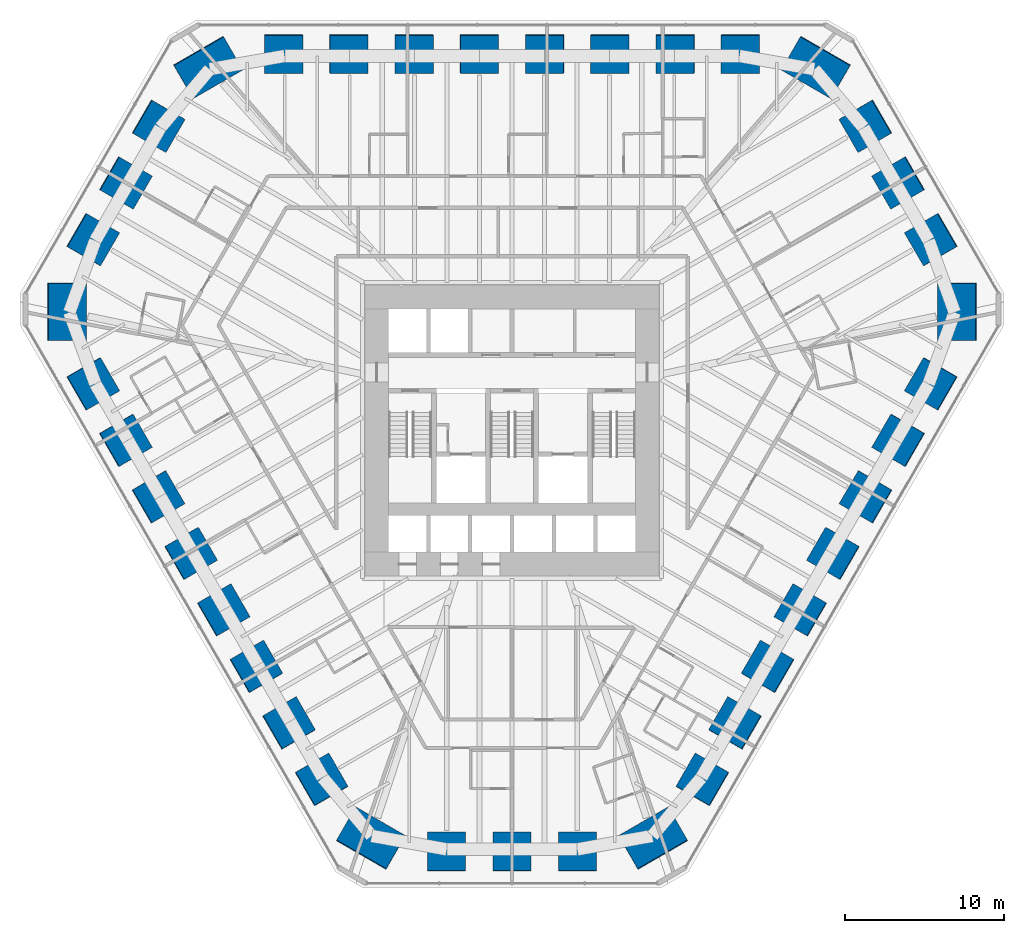
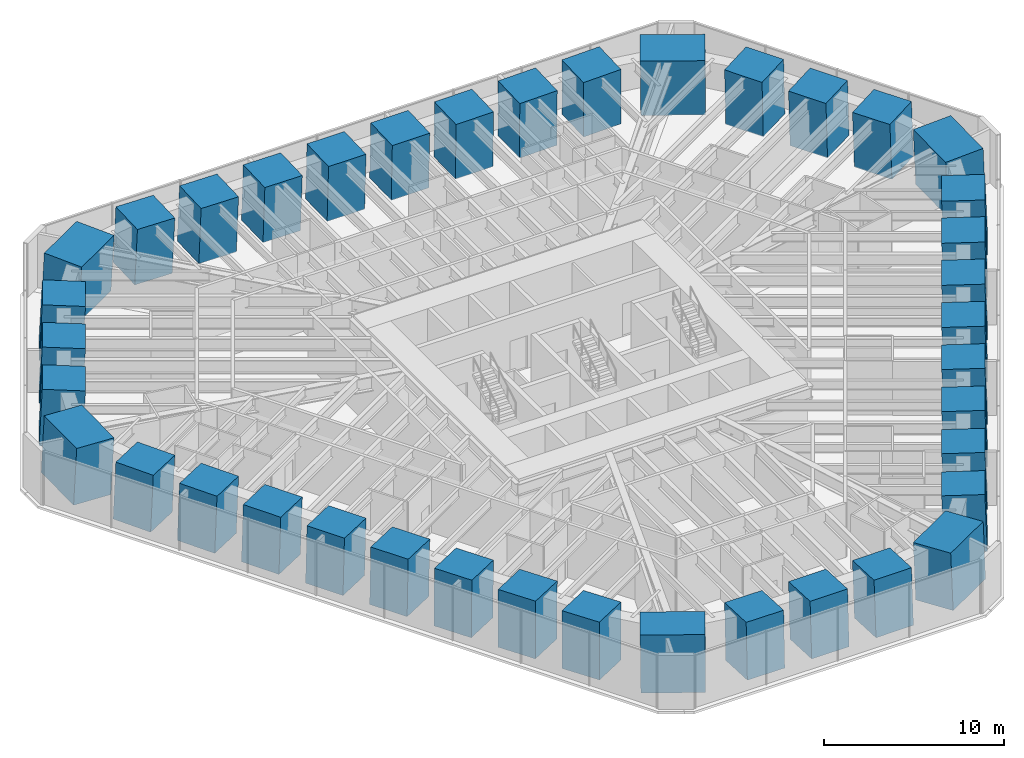
# One storey, part 1 of 17: 39 columns.
"""IFC4 building model written with IfcOpenShell, lengths in metres."""

from ifc_helpers import new_model, si_unit, direction, frame, origin, origin_2d, place, context, subcontext, project, spatial, rectangle, extrude, material, material_profile, profile_set, type_object, element, save


model = new_model("IFC4")

# Units and contexts
model_context = context("Model", 3, precision=1e-05, world=origin(), true_north=direction((0.0, 1.0)))
body_context = subcontext(model_context, "Body", "Model", "MODEL_VIEW")
ifc_project = project(units=[si_unit("LENGTHUNIT", "METRE"), si_unit("AREAUNIT", "SQUARE_METRE"), si_unit("VOLUMEUNIT", "CUBIC_METRE"), si_unit("PLANEANGLEUNIT", "RADIAN"), si_unit("MASSUNIT", "GRAM", prefix="KILO")], contexts=[model_context])

# Site, building, storey
site_placement = place(None, origin())
site = spatial("IfcSite", under=ifc_project, at=site_placement, CompositionType="ELEMENT")
building_placement = place(site_placement, origin())
building = spatial("IfcBuilding", under=site, at=building_placement, Name="Sandreach Pilgrim Tower", CompositionType="ELEMENT")
storey_placement = place(building_placement, frame((0.0, 0.0, 72.39990234375)))
storey = spatial("IfcBuildingStorey", under=building, at=storey_placement, Name="L17", CompositionType="ELEMENT", Elevation=72.39990234375)

# Columns
ifc_material_1 = material(Name="Concrete 10000 psi", Category="concrete")
ifc_material_profile_1 = material_profile(ifc_material_1, rectangle(XDim=2.39990234375, YDim=2.39990234375, at=origin_2d()), Name="RC2400X2400")
ifc_profile_set_1 = profile_set([ifc_material_profile_1], Name="Concrete 10000 psi")
column_type_1 = type_object("IfcColumnType", Name="Raked tube column RC2400X2400", PredefinedType="COLUMN", material=ifc_profile_set_1)
column_1_placement = place(storey_placement, frame((-14.370361328125, 22.127685546875, 0.0), z_axis=(0.02387684412, -0.036713857088, 0.999040534219), x_axis=(0.000229526905, 0.999325609369, 0.036718847706)))
element("IfcColumn", 1, at=column_1_placement, inside=storey, type_object=column_type_1, Name="COL L17 T01", PredefinedType="COLUMN", context=body_context, shape_type="SweptSolid", body=[
    extrude(rectangle(XDim=2.39990234375, YDim=2.39990234375, at=origin_2d()), origin(), (0.0, 0.0, 1.0), 3.8037109375),
])
column_2_placement = place(storey_placement, frame((-10.2646484375, 22.1279296875, 0.0), z_axis=(0.017011430722, -0.036719012729, 0.999180827142), x_axis=(0.001112013962, 0.99932551115, 0.036705397281)))
element("IfcColumn", 2, at=column_2_placement, inside=storey, type_object=column_type_1, Name="COL L17 T02", PredefinedType="COLUMN", context=body_context, shape_type="SweptSolid", body=[
    extrude(rectangle(XDim=2.39990234375, YDim=2.39990234375, at=origin_2d()), origin(), (0.0, 0.0, 1.0), 3.80322265625),
])
for number, where, z_axis, x_axis, name in (
    (3, (-6.158935546875, 22.128173828125, 0.0), (0.010207803765, -0.036722413544, 0.999273368546), (0.000704593406, 0.99932545045, 0.036717129927), "COL L17 T03"),
    (4, (-2.052978515625, 22.12841796875, 0.0), (0.003402758843, -0.036724114306, 0.999319648892), (0.000242365854, 0.999325435323, 0.036723501678), "COL L17 T04"),
    (5, (2.052978515625, 22.12841796875, 0.0), (-0.003402758843, -0.036724114306, 0.999319648892), (-0.000242365854, 0.999325435323, 0.036723501678), "COL L17 T05"),
    (6, (6.158935546875, 22.128173828125, 0.0), (-0.010207803765, -0.036722413544, 0.999273368546), (-0.000704593406, 0.99932545045, 0.036717129927), "COL L17 T06"),
):
    element("IfcColumn", number, at=place(storey_placement, frame(where, z_axis=z_axis, x_axis=x_axis)), inside=storey, type_object=column_type_1, Name=name, PredefinedType="COLUMN", context=body_context, shape_type="SweptSolid", body=[
        extrude(rectangle(XDim=2.39990234375, YDim=2.39990234375, at=origin_2d()), origin(), (0.0, 0.0, 1.0), 3.802734375),
    ])
column_3_placement = place(storey_placement, frame((10.2646484375, 22.1279296875, 0.0), z_axis=(-0.017011430722, -0.036719012729, 0.999180827142), x_axis=(-0.001112013962, 0.99932551115, 0.036705397281)))
element("IfcColumn", 7, at=column_3_placement, inside=storey, type_object=column_type_1, Name="COL L17 T07", PredefinedType="COLUMN", context=body_context, shape_type="SweptSolid", body=[
    extrude(rectangle(XDim=2.39990234375, YDim=2.39990234375, at=origin_2d()), origin(), (0.0, 0.0, 1.0), 3.80322265625),
])
column_4_placement = place(storey_placement, frame((14.370361328125, 22.127685546875, 0.0), z_axis=(-0.02387684412, -0.036713857088, 0.999040534219), x_axis=(-0.000229526905, 0.999325609369, 0.036718847706)))
element("IfcColumn", 8, at=column_4_placement, inside=storey, type_object=column_type_1, Name="COL L17 T08", PredefinedType="COLUMN", context=body_context, shape_type="SweptSolid", body=[
    extrude(rectangle(XDim=2.39990234375, YDim=2.39990234375, at=origin_2d()), origin(), (0.0, 0.0, 1.0), 3.8037109375),
])
column_5_placement = place(storey_placement, frame((22.232177734375, 17.592529296875, 0.0), z_axis=(-0.036324527722, -0.028815747257, 0.998924512361), x_axis=(0.864659372814, 0.500259765891, 0.04587303822)))
element("IfcColumn", 9, at=column_5_placement, inside=storey, type_object=column_type_1, Name="COL L17 T10", PredefinedType="COLUMN", context=body_context, shape_type="SweptSolid", body=[
    extrude(rectangle(XDim=2.39990234375, YDim=2.39990234375, at=origin_2d()), origin(), (0.0, 0.0, 1.0), 3.80419921875),
])
column_6_placement = place(storey_placement, frame((24.292236328125, 14.025146484375, 0.0), z_axis=(-0.039726869437, -0.02291194247, 0.998947855865), x_axis=(0.865344046472, 0.499075645542, 0.045860454239)))
element("IfcColumn", 10, at=column_6_placement, inside=storey, type_object=column_type_1, Name="COL L17 T11", PredefinedType="COLUMN", context=body_context, shape_type="SweptSolid", body=[
    extrude(rectangle(XDim=2.39990234375, YDim=2.39990234375, at=origin_2d()), origin(), (0.0, 0.0, 1.0), 3.803955078125),
])
column_7_placement = place(storey_placement, frame((26.3515625, 10.45751953125, 0.0), z_axis=(-0.043063214726, -0.017135437156, 0.998925390773), x_axis=(0.864497674409, 0.500540860582, 0.045854310909)))
element("IfcColumn", 11, at=column_7_placement, inside=storey, type_object=column_type_1, Name="COL L17 T12", PredefinedType="COLUMN", context=body_context, shape_type="SweptSolid", body=[
    extrude(rectangle(XDim=2.39990234375, YDim=2.39990234375, at=origin_2d()), origin(), (0.0, 0.0, 1.0), 3.80419921875),
])
column_8_placement = place(storey_placement, frame((26.34814453125, 1.38134765625, 0.0), z_axis=(-0.043710075164, -0.002310664766, 0.9990415858), x_axis=(0.865223526362, -0.500041450944, 0.036698729792)))
element("IfcColumn", 12, at=column_8_placement, inside=storey, type_object=column_type_1, Name="COL L17 T14", PredefinedType="COLUMN", context=body_context, shape_type="SweptSolid", body=[
    extrude(rectangle(XDim=2.39990234375, YDim=2.39990234375, at=origin_2d()), origin(), (0.0, 0.0, 1.0), 3.8037109375),
])
column_9_placement = place(storey_placement, frame((24.295654296875, -2.174560546875, 0.0), z_axis=(-0.040313871888, 0.003594867557, 0.999180598621), x_axis=(0.865292276739, -0.499921607788, 0.036710514605)))
element("IfcColumn", 13, at=column_9_placement, inside=storey, type_object=column_type_1, Name="COL L17 T15", PredefinedType="COLUMN", context=body_context, shape_type="SweptSolid", body=[
    extrude(rectangle(XDim=2.39990234375, YDim=2.39990234375, at=origin_2d()), origin(), (0.0, 0.0, 1.0), 3.80322265625),
])
for number, where, z_axis, x_axis, name in (
    (14, (22.242919921875, -5.73046875, 0.0), (-0.036850873434, 0.009565819062, 0.999274991298), (0.864336665079, -0.501574512343, 0.036676122589), "COL L17 T16"),
    (15, (20.1904296875, -9.286376953125, 0.0), (-0.033513958168, 0.015408716399, 0.999319461467), (0.865447927191, -0.499650776395, 0.03672855794), "COL L17 T17"),
    (16, (18.137451171875, -12.84228515625, 0.0), (-0.030111193695, 0.021315386582, 0.999319253447), (0.865557695046, -0.499460185975, 0.036734169015), "COL L17 T18"),
    (17, (16.084228515625, -16.39794921875, 0.0), (-0.026707189651, 0.027220789452, 0.999272612775), (0.865695316087, -0.499221464256, 0.036736212807), "COL L17 T19"),
):
    element("IfcColumn", number, at=place(storey_placement, frame(where, z_axis=z_axis, x_axis=x_axis)), inside=storey, type_object=column_type_1, Name=name, PredefinedType="COLUMN", context=body_context, shape_type="SweptSolid", body=[
        extrude(rectangle(XDim=2.39990234375, YDim=2.39990234375, at=origin_2d()), origin(), (0.0, 0.0, 1.0), 3.802734375),
    ])
column_10_placement = place(storey_placement, frame((14.031005859375, -19.953369140625, 0.0), z_axis=(-0.02330242081, 0.033124102308, 0.999179558954), x_axis=(0.865853874056, -0.498946587993, 0.036733787066)))
element("IfcColumn", 18, at=column_10_placement, inside=storey, type_object=column_type_1, Name="COL L17 T20", PredefinedType="COLUMN", context=body_context, shape_type="SweptSolid", body=[
    extrude(rectangle(XDim=2.39990234375, YDim=2.39990234375, at=origin_2d()), origin(), (0.0, 0.0, 1.0), 3.80322265625),
])
column_11_placement = place(storey_placement, frame((11.977783203125, -23.5087890625, 0.0), z_axis=(-0.019833251954, 0.038960465812, 0.999043905052), x_axis=(0.865703965576, -0.49921248457, 0.036654320816)))
element("IfcColumn", 19, at=column_11_placement, inside=storey, type_object=column_type_1, Name="COL L17 T21", PredefinedType="COLUMN", context=body_context, shape_type="SweptSolid", body=[
    extrude(rectangle(XDim=2.39990234375, YDim=2.39990234375, at=origin_2d()), origin(), (0.0, 0.0, 1.0), 3.8037109375),
])
column_12_placement = place(storey_placement, frame((4.119384765625, -28.0498046875, 0.0), z_axis=(-0.006738664901, 0.045822921324, 0.998926849312), x_axis=(-0.00011331945, -0.9989495591, 0.045823198629)))
element("IfcColumn", 20, at=column_12_placement, inside=storey, type_object=column_type_1, Name="COL L17 T23", PredefinedType="COLUMN", context=body_context, shape_type="SweptSolid", body=[
    extrude(rectangle(XDim=2.39990234375, YDim=2.39990234375, at=origin_2d()), origin(), (0.0, 0.0, 1.0), 3.80419921875),
])
column_13_placement = place(storey_placement, frame((0.0, -28.05029296875, 0.0), z_axis=(0.0, 0.04588800593, 0.99894659062), x_axis=(0.0, -0.99894659062, 0.04588800593)))
element("IfcColumn", 21, at=column_13_placement, inside=storey, type_object=column_type_1, Name="COL L17 T24", PredefinedType="COLUMN", context=body_context, shape_type="SweptSolid", body=[
    extrude(rectangle(XDim=2.39990234375, YDim=2.39990234375, at=origin_2d()), origin(), (0.0, 0.0, 1.0), 3.803955078125),
])
column_14_placement = place(storey_placement, frame((-4.119384765625, -28.0498046875, 0.0), z_axis=(0.006738664901, 0.045822921324, 0.998926849312), x_axis=(0.00011331945, -0.9989495591, 0.045823198629)))
element("IfcColumn", 22, at=column_14_placement, inside=storey, type_object=column_type_1, Name="COL L17 T25", PredefinedType="COLUMN", context=body_context, shape_type="SweptSolid", body=[
    extrude(rectangle(XDim=2.39990234375, YDim=2.39990234375, at=origin_2d()), origin(), (0.0, 0.0, 1.0), 3.80419921875),
])
column_15_placement = place(storey_placement, frame((-11.977783203125, -23.5087890625, 0.0), z_axis=(0.019833251954, 0.038960465812, 0.999043905052), x_axis=(-0.865703965576, -0.49921248457, 0.036654320816)))
element("IfcColumn", 23, at=column_15_placement, inside=storey, type_object=column_type_1, Name="COL L17 T27", PredefinedType="COLUMN", context=body_context, shape_type="SweptSolid", body=[
    extrude(rectangle(XDim=2.39990234375, YDim=2.39990234375, at=origin_2d()), origin(), (0.0, 0.0, 1.0), 3.8037109375),
])
column_16_placement = place(storey_placement, frame((-14.031005859375, -19.953369140625, 0.0), z_axis=(0.02330242081, 0.033124102308, 0.999179558954), x_axis=(-0.865853874056, -0.498946587993, 0.036733787066)))
element("IfcColumn", 24, at=column_16_placement, inside=storey, type_object=column_type_1, Name="COL L17 T28", PredefinedType="COLUMN", context=body_context, shape_type="SweptSolid", body=[
    extrude(rectangle(XDim=2.39990234375, YDim=2.39990234375, at=origin_2d()), origin(), (0.0, 0.0, 1.0), 3.80322265625),
])
for number, where, z_axis, x_axis, name in (
    (25, (-16.084228515625, -16.39794921875, 0.0), (0.026707189651, 0.027220789452, 0.999272612775), (-0.865695316087, -0.499221464256, 0.036736212807), "COL L17 T29"),
    (26, (-18.137451171875, -12.84228515625, 0.0), (0.030111193695, 0.021315386582, 0.999319253447), (-0.865557695046, -0.499460185975, 0.036734169015), "COL L17 T30"),
    (27, (-20.1904296875, -9.286376953125, 0.0), (0.033513958168, 0.015408716399, 0.999319461467), (-0.865447927191, -0.499650776395, 0.03672855794), "COL L17 T31"),
    (28, (-22.242919921875, -5.73046875, 0.0), (0.036850873434, 0.009565819062, 0.999274991298), (-0.864336665079, -0.501574512343, 0.036676122589), "COL L17 T32"),
):
    element("IfcColumn", number, at=place(storey_placement, frame(where, z_axis=z_axis, x_axis=x_axis)), inside=storey, type_object=column_type_1, Name=name, PredefinedType="COLUMN", context=body_context, shape_type="SweptSolid", body=[
        extrude(rectangle(XDim=2.39990234375, YDim=2.39990234375, at=origin_2d()), origin(), (0.0, 0.0, 1.0), 3.802734375),
    ])
column_17_placement = place(storey_placement, frame((-24.295654296875, -2.174560546875, 0.0), z_axis=(0.040313871888, 0.003594867557, 0.999180598621), x_axis=(-0.865292276739, -0.499921607788, 0.036710514605)))
element("IfcColumn", 29, at=column_17_placement, inside=storey, type_object=column_type_1, Name="COL L17 T33", PredefinedType="COLUMN", context=body_context, shape_type="SweptSolid", body=[
    extrude(rectangle(XDim=2.39990234375, YDim=2.39990234375, at=origin_2d()), origin(), (0.0, 0.0, 1.0), 3.80322265625),
])
column_18_placement = place(storey_placement, frame((-26.34814453125, 1.38134765625, 0.0), z_axis=(0.043710075164, -0.002310664766, 0.9990415858), x_axis=(-0.865223526362, -0.500041450944, 0.036698729792)))
element("IfcColumn", 30, at=column_18_placement, inside=storey, type_object=column_type_1, Name="COL L17 T34", PredefinedType="COLUMN", context=body_context, shape_type="SweptSolid", body=[
    extrude(rectangle(XDim=2.39990234375, YDim=2.39990234375, at=origin_2d()), origin(), (0.0, 0.0, 1.0), 3.8037109375),
])
column_19_placement = place(storey_placement, frame((-26.3515625, 10.45751953125, 0.0), z_axis=(0.043063214726, -0.017135437156, 0.998925390773), x_axis=(-0.864497674409, 0.500540860582, 0.045854310909)))
element("IfcColumn", 31, at=column_19_placement, inside=storey, type_object=column_type_1, Name="COL L17 T36", PredefinedType="COLUMN", context=body_context, shape_type="SweptSolid", body=[
    extrude(rectangle(XDim=2.39990234375, YDim=2.39990234375, at=origin_2d()), origin(), (0.0, 0.0, 1.0), 3.80419921875),
])
column_20_placement = place(storey_placement, frame((-24.292236328125, 14.025146484375, 0.0), z_axis=(0.039726869437, -0.02291194247, 0.998947855865), x_axis=(-0.865344046472, 0.499075645542, 0.045860454239)))
element("IfcColumn", 32, at=column_20_placement, inside=storey, type_object=column_type_1, Name="COL L17 T37", PredefinedType="COLUMN", context=body_context, shape_type="SweptSolid", body=[
    extrude(rectangle(XDim=2.39990234375, YDim=2.39990234375, at=origin_2d()), origin(), (0.0, 0.0, 1.0), 3.803955078125),
])
column_21_placement = place(storey_placement, frame((-22.232177734375, 17.592529296875, 0.0), z_axis=(0.036324527722, -0.028815747257, 0.998924512361), x_axis=(-0.864659372814, 0.500259765891, 0.04587303822)))
element("IfcColumn", 33, at=column_21_placement, inside=storey, type_object=column_type_1, Name="COL L17 T38", PredefinedType="COLUMN", context=body_context, shape_type="SweptSolid", body=[
    extrude(rectangle(XDim=2.39990234375, YDim=2.39990234375, at=origin_2d()), origin(), (0.0, 0.0, 1.0), 3.80419921875),
])
ifc_material_2 = material(Name="Concrete 10000 psi", Category="concrete")
ifc_material_profile_2 = material_profile(ifc_material_2, rectangle(XDim=2.39990234375, YDim=3.60009765625, at=origin_2d()), Name="RC2400X3600")
ifc_profile_set_2 = profile_set([ifc_material_profile_2], Name="Concrete 10000 psi")
column_type_2 = type_object("IfcColumnType", Name="Raked tube corner pier RC2400X3600", PredefinedType="COLUMN", material=ifc_profile_set_2)
for number, where, z_axis, x_axis, name in (
    (34, (19.11767578125, 21.29052734375, 0.0), (-0.031958280822, -0.035551983084, 0.998856708836), (0.499520046627, 0.86503883454, 0.046771120948), "COL L17 T09"),
    (35, (27.9970703125, 5.9111328125, 0.0), (-0.04678227982, -0.009882676395, 0.998856221386), (0.998905103639, -0.000352183695, 0.046781084758), "COL L17 T13"),
    (36, (8.87939453125, -27.20166015625, 0.0), (-0.014824030832, 0.0454346919, 0.998857315577), (0.499731843942, -0.864917167509, 0.046758715743), "COL L17 T22"),
    (37, (-8.87939453125, -27.20166015625, 0.0), (0.014824030832, 0.0454346919, 0.998857315577), (-0.499731843942, -0.864917167509, 0.046758715743), "COL L17 T26"),
    (38, (-27.9970703125, 5.9111328125, 0.0), (0.04678227982, -0.009882676395, 0.998856221386), (-0.998905103639, -0.000352183695, 0.046781084758), "COL L17 T35"),
    (39, (-19.11767578125, 21.29052734375, 0.0), (0.031958280822, -0.035551983084, 0.998856708836), (-0.499520046627, 0.86503883454, 0.046771120948), "COL L17 T39"),
):
    element("IfcColumn", number, at=place(storey_placement, frame(where, z_axis=z_axis, x_axis=x_axis)), inside=storey, type_object=column_type_2, Name=name, PredefinedType="COLUMN", context=body_context, shape_type="SweptSolid", body=[
        extrude(rectangle(XDim=2.39990234375, YDim=3.60009765625, at=origin_2d()), origin(), (0.0, 0.0, 1.0), 3.804443359375),
    ])

save(model, "model.ifc")
